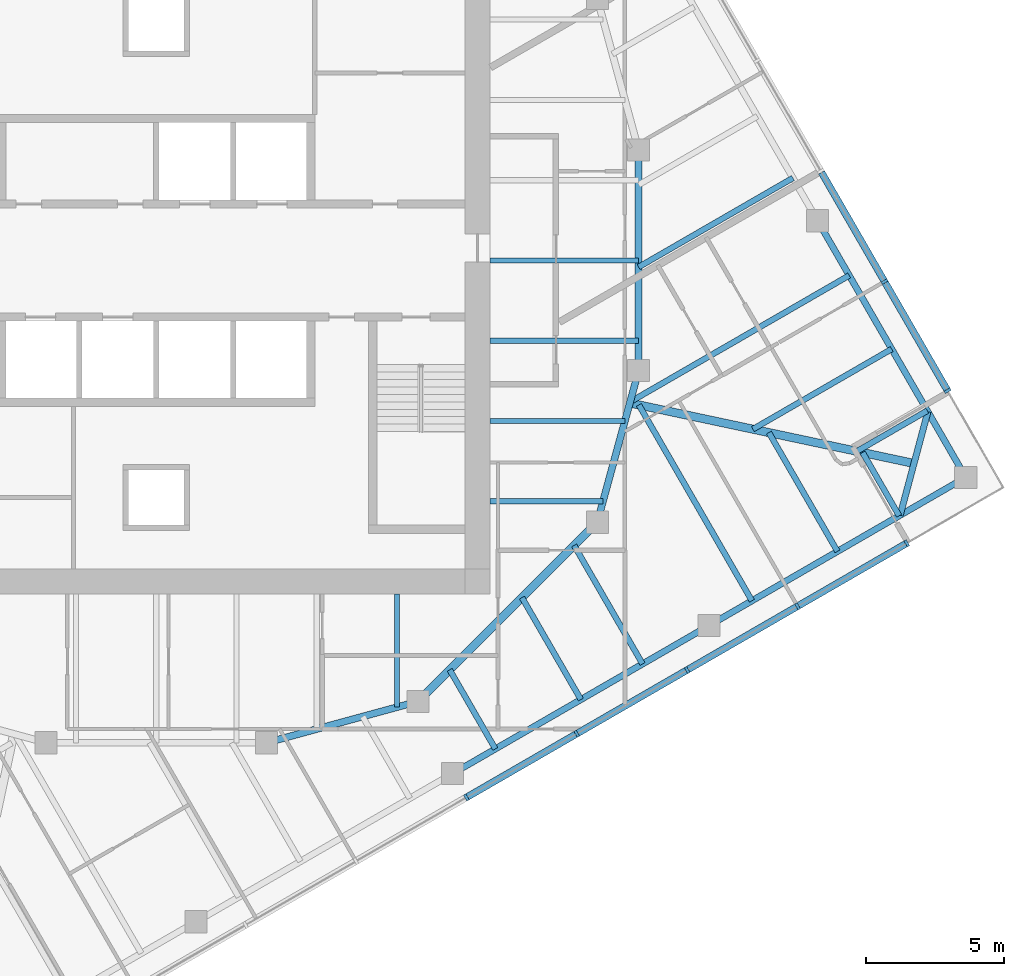
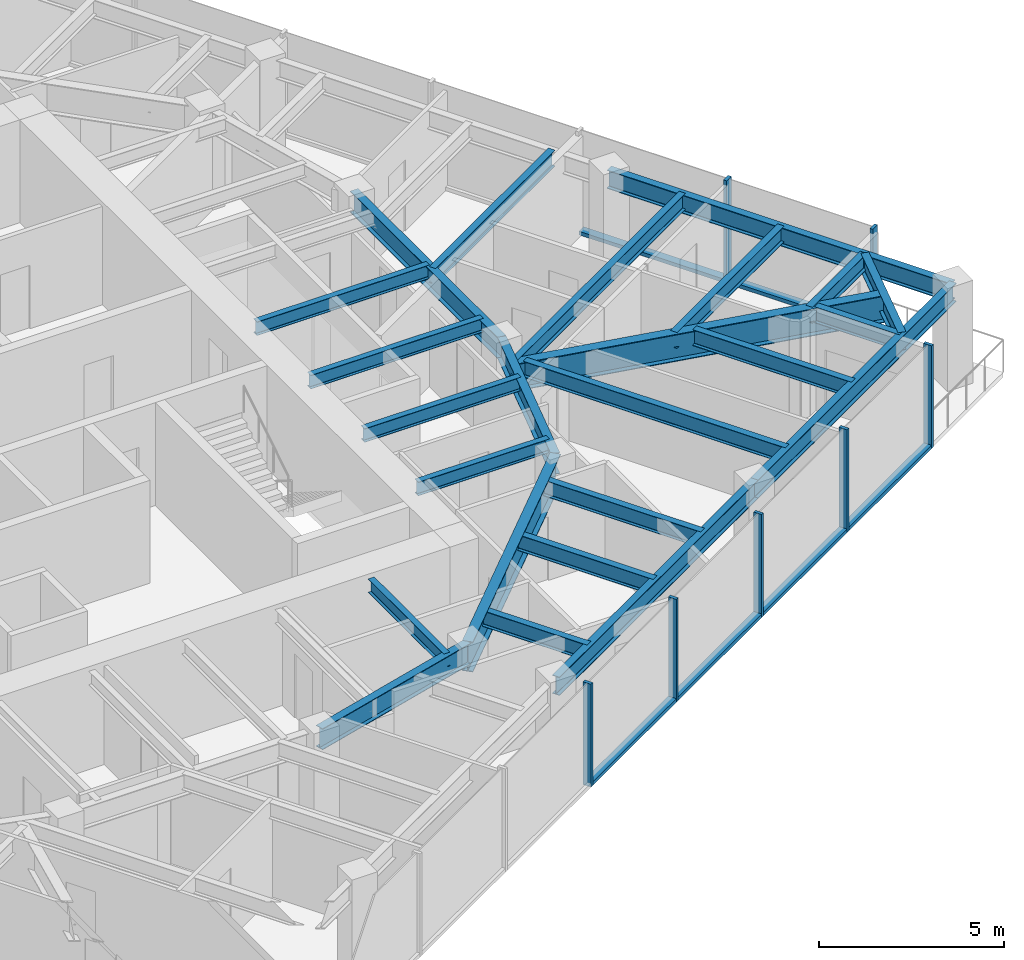
# One storey, part 3 of 12: 24 beams, 13 members, 2 elements without a shape of their own.
"""IFC4 building model written with IfcOpenShell, lengths in metres."""

import ifcopenshell
import ifcopenshell.guid

model = None  # the IFC model being written
_history = None  # IfcOwnerHistory: only IFC2X3 demands one
_inside = {}  # id of a spatial element -> (the spatial element, [elements in it])
_under = {}  # id of a project, library or spatial element -> (it, [spatial elements below it])
_declared = {}  # id of a project -> (the project, [libraries it declares])
_typed = {}  # id of a type object -> (the type object, [elements of that type])
_made_of = {}  # id of a material, layer set ... -> (it, [elements and type objects made of it])


def new_model(schema):
    """Start an empty IFC model of exactly this schema.

    Asked for "IFC4X3", IfcOpenShell would pick the latest addendum, in which some entities
    have other attributes; the version numbers below select the first issue.
    IFC2X3 requires an IfcOwnerHistory on every rooted entity: one is made here for all.
    """
    global model, _history
    if schema == "IFC4X3":
        model = ifcopenshell.file(schema_version=(4, 3, 0, 0))
    else:
        model = ifcopenshell.file(schema=schema)
    _inside.clear()
    _under.clear()
    _declared.clear()
    _typed.clear()
    _made_of.clear()
    _history = None
    if model.schema == "IFC2X3":
        org = make("IfcOrganization", Name="unknown")
        user = make(
            "IfcPersonAndOrganization",
            ThePerson=make("IfcPerson", FamilyName="unknown"),
            TheOrganization=org,
        )
        app = make(
            "IfcApplication",
            ApplicationDeveloper=org,
            Version="unknown",
            ApplicationFullName="unknown",
            ApplicationIdentifier="unknown",
        )
        _history = make(
            "IfcOwnerHistory",
            OwningUser=user,
            OwningApplication=app,
            ChangeAction="ADDED",
            CreationDate=0,
        )
    return model


def make(cls, **values):
    """One entity of the class cls with the attributes given. An attribute that is None is left unset."""
    return model.create_entity(
        cls, **{name: value for name, value in values.items() if value is not None}
    )


def rooted(cls, **values):
    """An entity with a GlobalId (a new one), such as an element, a storey or a relation."""
    return make(cls, GlobalId=ifcopenshell.guid.new(), OwnerHistory=_history, **values)


def si_unit(unit_type, name, prefix=None):
    """IfcSIUnit, for example si_unit("LENGTHUNIT", "METRE", prefix="MILLI")."""
    return make("IfcSIUnit", UnitType=unit_type, Prefix=prefix, Name=name)


def assignment(units):
    """IfcUnitAssignment: the units of a project."""
    return None if units is None else make("IfcUnitAssignment", Units=units)


def point(xyz):
    """IfcCartesianPoint."""
    return None if xyz is None else make("IfcCartesianPoint", Coordinates=xyz)


def direction(xyz):
    """IfcDirection."""
    return None if xyz is None else make("IfcDirection", DirectionRatios=xyz)


def frame(location, z_axis=None, x_axis=None):
    """IfcAxis2Placement3D, a coordinate frame: its origin and axes. An axis left out is left unset."""
    return make(
        "IfcAxis2Placement3D",
        Location=point(location),
        Axis=direction(z_axis),
        RefDirection=direction(x_axis),
    )


def frame_2d(location, x_axis=None):
    """IfcAxis2Placement2D, a coordinate frame in the plane: its origin and x axis."""
    return make(
        "IfcAxis2Placement2D", Location=point(location), RefDirection=direction(x_axis)
    )


def origin():
    """The frame at (0, 0, 0) with its axes left unset."""
    return frame((0.0, 0.0, 0.0))


def origin_2d():
    """The frame at (0, 0) in the plane with its x axis left unset."""
    return frame_2d((0.0, 0.0))


def place(relative_to, where):
    """IfcLocalPlacement: puts the frame where relative to a parent placement (None: the world)."""
    return make(
        "IfcLocalPlacement", PlacementRelTo=relative_to, RelativePlacement=where
    )


def context(
    kind, dimensions, precision=None, world=None, true_north=None, identifier=None
):
    """IfcGeometricRepresentationContext, for example the 3D "Model" context."""
    return make(
        "IfcGeometricRepresentationContext",
        ContextIdentifier=identifier,
        ContextType=kind,
        CoordinateSpaceDimension=dimensions,
        Precision=precision,
        WorldCoordinateSystem=world,
        TrueNorth=true_north,
    )


def subcontext(parent, identifier, kind, view, scale=None):
    """IfcGeometricRepresentationSubContext, for example "Body" below "Model"."""
    return make(
        "IfcGeometricRepresentationSubContext",
        ContextIdentifier=identifier,
        ContextType=kind,
        ParentContext=parent,
        TargetScale=scale,
        TargetView=view,
    )


def project(units=None, contexts=None):
    """IfcProject with its units and contexts."""
    return rooted(
        "IfcProject",
        Name="project",
        RepresentationContexts=contexts,
        UnitsInContext=assignment(units),
    )


def spatial(cls, under=None, at=None, **own):
    """A site, building, storey or space (cls), placed at a placement, below another one or the project."""
    s = rooted(cls, ObjectPlacement=at, **own)
    if under is not None:
        _under.setdefault(under.id(), (under, []))[1].append(s)
    return s


def profile(cls, at=None, kind="AREA", **sizes):
    """A parametric profile (cls). Its sizes go by their IFC names, for example OverallWidth=200.0."""
    return make(cls, ProfileType=kind, Position=at, **sizes)


def rectangle(**sizes):
    """IfcRectangleProfileDef."""
    return profile("IfcRectangleProfileDef", **sizes)


def i_section(**sizes):
    """IfcIShapeProfileDef."""
    return profile("IfcIShapeProfileDef", **sizes)


def extrude(swept, where, along, depth):
    """IfcExtrudedAreaSolid: the profile swept, set in the frame where, extruded along a direction by depth."""
    return make(
        "IfcExtrudedAreaSolid",
        SweptArea=swept,
        Position=where,
        ExtrudedDirection=direction(along),
        Depth=depth,
    )


def shape(context_of_items, identifier, shape_type, items):
    """IfcShapeRepresentation: the items that make up one representation, for example the "Body"."""
    return make(
        "IfcShapeRepresentation",
        ContextOfItems=context_of_items,
        RepresentationIdentifier=identifier,
        RepresentationType=shape_type,
        Items=items,
    )


def material(Name=None, Category=None):
    """IfcMaterial."""
    return make("IfcMaterial", Name=Name, Category=Category)


def material_profile(
    of_material, cross_section, Name=None, Category=None, Priority=None
):
    """IfcMaterialProfile: a cross section and its material."""
    return make(
        "IfcMaterialProfile",
        Name=Name,
        Material=of_material,
        Profile=cross_section,
        Priority=Priority,
        Category=Category,
    )


def profile_set(profiles, Name=None, composite=None):
    """IfcMaterialProfileSet."""
    return make(
        "IfcMaterialProfileSet",
        Name=Name,
        MaterialProfiles=profiles,
        CompositeProfile=composite,
    )


def made_of(thing, what):
    """Note that an element or type object is made of a material, layer set ...; save() writes the relation."""
    if what is not None:
        _made_of.setdefault(what.id(), (what, []))[1].append(thing)
    return thing


def type_object(cls, material=None, **own):
    """A type object (cls), such as IfcWallType, which elements share."""
    return made_of(rooted(cls, **own), material)


def element(
    cls,
    number,
    at=None,
    inside=None,
    cuts=None,
    type_object=None,
    material=None,
    context=None,
    identifier="Body",
    shape_type=None,
    held_by="IfcProductDefinitionShape",
    body=None,
    shapes=None,
    **own,
):
    """One element of the class cls, such as IfcWall. Its Tag is "e" and its number.

    at: its placement. inside: the storey or other place that contains it. cuts: it is an
    opening in that element (IfcRelVoidsElement). A single representation is given by context,
    identifier, shape_type and body (its items); several are given by shapes. held_by: the class
    of the entity that holds the representations. save() writes the other relations.
    """
    e = rooted(cls, Tag="e%d" % number, ObjectPlacement=at, **own)
    if body is not None:
        shapes = [shape(context, identifier, shape_type, body)]
    if shapes is not None:
        e.Representation = make(held_by, Representations=shapes)
    if inside is not None:
        _inside.setdefault(inside.id(), (inside, []))[1].append(e)
    if cuts is not None:
        rooted(
            "IfcRelVoidsElement", RelatingBuildingElement=cuts, RelatedOpeningElement=e
        )
    if type_object is not None:
        _typed.setdefault(type_object.id(), (type_object, []))[1].append(e)
    return made_of(e, material)


def aggregate(whole, parts):
    """IfcRelAggregates: a whole, such as a stair, and the parts it consists of."""
    return rooted("IfcRelAggregates", RelatingObject=whole, RelatedObjects=parts)


def save(model, path):
    """Write the relations noted so far, then the file.

    IfcRelAggregates (storeys below a building ...), IfcRelContainedInSpatialStructure (elements
    in a storey), IfcRelDefinesByType, IfcRelAssociatesMaterial and IfcRelDeclares: one each for
    every whole, place, type object, material and project.
    """
    for whole, parts in _under.values():
        aggregate(whole, parts)
    for where, things in _inside.values():
        rooted(
            "IfcRelContainedInSpatialStructure",
            RelatedElements=things,
            RelatingStructure=where,
        )
    for kind, things in _typed.values():
        rooted("IfcRelDefinesByType", RelatedObjects=things, RelatingType=kind)
    for what, things in _made_of.values():
        rooted("IfcRelAssociatesMaterial", RelatedObjects=things, RelatingMaterial=what)
    for by, libraries in _declared.values():
        rooted("IfcRelDeclares", RelatingContext=by, RelatedDefinitions=libraries)
    model.write(path)


model = new_model("IFC4")

# Units and contexts
model_context = context("Model", 3, precision=1e-05, world=origin(), true_north=direction((0.0, 1.0)))
body_context = subcontext(model_context, "Body", "Model", "MODEL_VIEW")
ifc_project = project(units=[si_unit("LENGTHUNIT", "METRE"), si_unit("AREAUNIT", "SQUARE_METRE"), si_unit("VOLUMEUNIT", "CUBIC_METRE"), si_unit("PLANEANGLEUNIT", "RADIAN"), si_unit("MASSUNIT", "GRAM", prefix="KILO")], contexts=[model_context])

# Site, building, storey
site_placement = place(None, origin())
site = spatial("IfcSite", under=ifc_project, at=site_placement, CompositionType="ELEMENT")
building_placement = place(site_placement, origin())
building = spatial("IfcBuilding", under=site, at=building_placement, Name="Torsade Residences", CompositionType="ELEMENT")
storey_placement = place(building_placement, frame((0.0, 0.0, 211.60009765625)))
storey = spatial("IfcBuildingStorey", under=building, at=storey_placement, Name="L58", CompositionType="ELEMENT", Elevation=211.60009765625)

# Beams
ifc_material_1 = material(Name="Steel grade 300", Category="steel")
ifc_material_profile_1 = material_profile(ifc_material_1, i_section(OverallWidth=0.300048828125, OverallDepth=0.89990234375, WebThickness=0.011962890625, FlangeThickness=0.02490234375, at=origin_2d()), Name="900WB175")
ifc_profile_set_1 = profile_set([ifc_material_profile_1], Name="Steel grade 300")
beam_type_1 = type_object("IfcBeamType", Name="CORNER GIRDER 900WB175", PredefinedType="BEAM", material=ifc_profile_set_1)
beam_1_placement = place(storey_placement, frame((67.4912109375, 22.6337890625, 2.7998046875), z_axis=(-0.978115155685, 0.20806427425, 0.0), x_axis=(-0.20806427425, -0.978115155685, 0.0)))
element("IfcBeam", 1, at=beam_1_placement, inside=storey, type_object=beam_type_1, Name="Corner girder 05 L59", PredefinedType="BEAM", context=body_context, shape_type="SweptSolid", body=[
    extrude(i_section(OverallWidth=0.300048828125, OverallDepth=0.89990234375, WebThickness=0.011962890625, FlangeThickness=0.02490234375, at=origin_2d()), origin(), (0.0, 0.0, 1.0), 10.541748046875),
])
ifc_material_2 = material(Name="Steel grade 300", Category="steel")
ifc_material_profile_2 = material_profile(ifc_material_2, i_section(OverallWidth=0.22802734375, OverallDepth=0.60205078125, WebThickness=0.010498046875, FlangeThickness=0.014892578125, FilletRadius=0.013916015625, at=origin_2d()), Name="610UB101")
ifc_profile_set_2 = profile_set([ifc_material_profile_2], Name="Steel grade 300")
beam_type_2 = type_object("IfcBeamType", Name="CORNER TRIMMER 610UB101", PredefinedType="BEAM", material=ifc_profile_set_2)
beam_2_placement = place(storey_placement, frame((67.99462890625, 24.511962890625, 2.948974609375), z_axis=(-0.258822897619, -0.965924794002, 0.0), x_axis=(0.965924794002, -0.258822897619, 0.0)))
element("IfcBeam", 2, at=beam_2_placement, inside=storey, type_object=beam_type_2, Name="Corner trimmer 05 L59", PredefinedType="BEAM", context=body_context, shape_type="SweptSolid", body=[
    extrude(i_section(OverallWidth=0.22802734375, OverallDepth=0.60205078125, WebThickness=0.010498046875, FlangeThickness=0.014892578125, FilletRadius=0.013916015625, at=origin_2d()), origin(), (0.0, 0.0, 1.0), 3.88916015625),
])
ifc_material_3 = material(Name="Steel grade 300", Category="steel")
ifc_material_profile_3 = material_profile(ifc_material_3, i_section(OverallWidth=0.22900390625, OverallDepth=0.612060546875, WebThickness=0.011962890625, FlangeThickness=0.01953125, FilletRadius=0.013916015625, at=origin_2d()), Name="610UB125")
ifc_profile_set_3 = profile_set([ifc_material_profile_3], Name="Steel grade 300")
beam_type_3 = type_object("IfcBeamType", Name="EDGE BEAM 610UB125", PredefinedType="SPANDREL", material=ifc_profile_set_3)
for number, where, z_axis, x_axis, name in (
    (3, (50.75, 11.38037109375, 2.94384765625), (0.866026365697, 0.499998333915, 0.0), (-0.499998333915, 0.866026365697, 0.0), "Edge beam 03 L59"),
    (4, (60.059814453125, 16.75537109375, 2.94384765625), (0.866026365697, 0.499998333915, 0.0), (-0.499998333915, 0.866026365697, 0.0), "Edge beam 04 L59"),
    (5, (69.36962890625, 22.13037109375, 2.94384765625), (-0.499998333915, 0.866026365697, 0.0), (-0.866026365697, -0.499998333915, 0.0), "Edge beam 05 L59"),
):
    element("IfcBeam", number, at=place(storey_placement, frame(where, z_axis=z_axis, x_axis=x_axis)), inside=storey, type_object=beam_type_3, Name=name, PredefinedType="SPANDREL", context=body_context, shape_type="SweptSolid", body=[
        extrude(i_section(OverallWidth=0.22900390625, OverallDepth=0.612060546875, WebThickness=0.011962890625, FlangeThickness=0.01953125, FilletRadius=0.013916015625, at=origin_2d()), origin(), (0.0, 0.0, 1.0), 10.75),
    ])

# Curtain wall, members
ifc_material_4 = material(Name="Aluminium and glass", Category="aluminium")
curtain_wall_type = type_object("IfcCurtainWallType", Name="FRITTED GLASS CURTAIN WALL HIGH ZONE", PredefinedType="NOTDEFINED", material=ifc_material_4)
curtain_wall_1_placement = place(storey_placement, origin())
curtain_wall_1 = element("IfcCurtainWall", 6, at=curtain_wall_1_placement, inside=storey, type_object=curtain_wall_type, Name="Curtain wall L58 face 1", PredefinedType="NOTDEFINED")
ifc_material_5 = material(Name="Aluminium mullion", Category="aluminium")
ifc_material_profile_4 = material_profile(ifc_material_5, rectangle(XDim=0.25, YDim=0.10009765625, at=origin_2d()), Name="HIGH ZONE CURTAIN WALL MULLION 250x100")
ifc_profile_set_4 = profile_set([ifc_material_profile_4], Name="Aluminium mullion")
member_type_1 = type_object("IfcMemberType", Name="HIGH ZONE CURTAIN WALL MULLION 250x100", PredefinedType="MULLION", material=ifc_profile_set_4)
member_1_placement = place(storey_placement, frame((51.25, 10.514404296875, 0.0), z_axis=(0.0, 0.0, 1.0), x_axis=(-0.499999999305, 0.866025404186, 0.0)))
member_1 = element("IfcMember", 7, at=member_1_placement, type_object=member_type_1, Name="Mullion 5", PredefinedType="MULLION", context=body_context, shape_type="SweptSolid", body=[
    extrude(rectangle(XDim=0.25, YDim=0.10009765625, at=origin_2d()), origin(), (0.0, 0.0, 1.0), 3.39990234375),
])
member_2_placement = place(storey_placement, frame((55.25537109375, 12.826904296875, 0.0), z_axis=(0.0, 0.0, 1.0), x_axis=(-0.499999999305, 0.866025404186, 0.0)))
member_2 = element("IfcMember", 8, at=member_2_placement, type_object=member_type_1, Name="Mullion 6", PredefinedType="MULLION", context=body_context, shape_type="SweptSolid", body=[
    extrude(rectangle(XDim=0.25, YDim=0.10009765625, at=origin_2d()), origin(), (0.0, 0.0, 1.0), 3.39990234375),
])
member_3_placement = place(storey_placement, frame((59.2607421875, 15.139404296875, 0.0), z_axis=(0.0, 0.0, 1.0), x_axis=(-0.499999999305, 0.866025404186, 0.0)))
member_3 = element("IfcMember", 9, at=member_3_placement, type_object=member_type_1, Name="Mullion 7", PredefinedType="MULLION", context=body_context, shape_type="SweptSolid", body=[
    extrude(rectangle(XDim=0.25, YDim=0.10009765625, at=origin_2d()), origin(), (0.0, 0.0, 1.0), 3.39990234375),
])
member_4_placement = place(storey_placement, frame((63.26611328125, 17.451904296875, 0.0), z_axis=(0.0, 0.0, 1.0), x_axis=(-0.499999999305, 0.866025404186, 0.0)))
member_4 = element("IfcMember", 10, at=member_4_placement, type_object=member_type_1, Name="Mullion 8", PredefinedType="MULLION", context=body_context, shape_type="SweptSolid", body=[
    extrude(rectangle(XDim=0.25, YDim=0.10009765625, at=origin_2d()), origin(), (0.0, 0.0, 1.0), 3.39990234375),
])
member_5_placement = place(storey_placement, frame((67.228271484375, 19.739501953125, 0.0), z_axis=(0.0, 0.0, 1.0), x_axis=(-0.499999999305, 0.866025404186, 0.0)))
member_5 = element("IfcMember", 11, at=member_5_placement, type_object=member_type_1, Name="Mullion 9", PredefinedType="MULLION", context=body_context, shape_type="SweptSolid", body=[
    extrude(rectangle(XDim=0.25, YDim=0.10009765625, at=origin_2d()), origin(), (0.0, 0.0, 1.0), 3.39990234375),
])

curtain_wall_2_placement = place(storey_placement, origin())
curtain_wall_2 = element("IfcCurtainWall", 12, at=curtain_wall_2_placement, inside=storey, type_object=curtain_wall_type, Name="Curtain wall L58 face 4", PredefinedType="NOTDEFINED")
member_6_placement = place(storey_placement, frame((68.710693359375, 25.271728515625, 0.0), z_axis=(0.0, 0.0, 1.0), x_axis=(-0.866025404186, -0.499999999305, 0.0)))
member_6 = element("IfcMember", 13, at=member_6_placement, type_object=member_type_1, Name="Mullion 1", PredefinedType="MULLION", context=body_context, shape_type="SweptSolid", body=[
    extrude(rectangle(XDim=0.25, YDim=0.10009765625, at=origin_2d()), origin(), (0.0, 0.0, 1.0), 3.39990234375),
])
member_7_placement = place(storey_placement, frame((66.423095703125, 29.23388671875, 0.0), z_axis=(0.0, 0.0, 1.0), x_axis=(-0.866025404186, -0.499999999305, 0.0)))
member_7 = element("IfcMember", 14, at=member_7_placement, type_object=member_type_1, Name="Mullion 2", PredefinedType="MULLION", context=body_context, shape_type="SweptSolid", body=[
    extrude(rectangle(XDim=0.25, YDim=0.10009765625, at=origin_2d()), origin(), (0.0, 0.0, 1.0), 3.39990234375),
])

# Member
ifc_material_6 = material(Name="Aluminium transom", Category="aluminium")
ifc_material_profile_5 = material_profile(ifc_material_6, rectangle(XDim=0.25, YDim=0.1201171875, at=origin_2d()), Name="HIGH ZONE CURTAIN WALL TRANSOM 250x120")
ifc_profile_set_5 = profile_set([ifc_material_profile_5], Name="Aluminium transom")
member_type_2 = type_object("IfcMemberType", Name="HIGH ZONE CURTAIN WALL TRANSOM 250x120", PredefinedType="USERDEFINED", material=ifc_profile_set_5)
member_8_placement = place(storey_placement, frame((51.293212890625, 10.539306640625, 0.059814453125), z_axis=(0.866016678684, 0.500015112013, 0.0), x_axis=(-0.500015112013, 0.866016678684, 0.0)))
member_8 = element("IfcMember", 15, at=member_8_placement, type_object=member_type_2, Name="Transom 5.1", ObjectType="TRANSOM", PredefinedType="USERDEFINED", context=body_context, shape_type="SweptSolid", body=[
    extrude(rectangle(XDim=0.25, YDim=0.1201171875, at=origin_2d()), origin(), (0.0, 0.0, 1.0), 4.525146484375),
])

member_9_placement = place(storey_placement, frame((55.298583984375, 12.851806640625, 0.059814453125), z_axis=(0.866016678684, 0.500015112013, 0.0), x_axis=(-0.500015112013, 0.866016678684, 0.0)))
member_9 = element("IfcMember", 16, at=member_9_placement, type_object=member_type_2, Name="Transom 6.1", ObjectType="TRANSOM", PredefinedType="USERDEFINED", context=body_context, shape_type="SweptSolid", body=[
    extrude(rectangle(XDim=0.25, YDim=0.1201171875, at=origin_2d()), origin(), (0.0, 0.0, 1.0), 4.525146484375),
])

member_10_placement = place(storey_placement, frame((59.303955078125, 15.164306640625, 0.059814453125), z_axis=(0.866016678684, 0.500015112013, 0.0), x_axis=(-0.500015112013, 0.866016678684, 0.0)))
member_10 = element("IfcMember", 17, at=member_10_placement, type_object=member_type_2, Name="Transom 7.1", ObjectType="TRANSOM", PredefinedType="USERDEFINED", context=body_context, shape_type="SweptSolid", body=[
    extrude(rectangle(XDim=0.25, YDim=0.1201171875, at=origin_2d()), origin(), (0.0, 0.0, 1.0), 4.525146484375),
])

member_11_placement = place(storey_placement, frame((63.309326171875, 17.476806640625, 0.059814453125), z_axis=(0.866022053326, 0.50000580312, 0.0), x_axis=(-0.50000580312, 0.866022053326, 0.0)))
member_11 = element("IfcMember", 18, at=member_11_placement, type_object=member_type_2, Name="Transom 8.1", ObjectType="TRANSOM", PredefinedType="USERDEFINED", context=body_context, shape_type="SweptSolid", body=[
    extrude(rectangle(XDim=0.25, YDim=0.1201171875, at=origin_2d()), origin(), (0.0, 0.0, 1.0), 4.47509765625),
])

aggregate(curtain_wall_1, [member_1, member_2, member_3, member_4, member_5, member_8, member_9, member_10, member_11])

member_12_placement = place(storey_placement, frame((68.685546875, 25.315185546875, 0.059814453125), z_axis=(-0.50000580312, 0.866022053326, 0.0), x_axis=(-0.866022053326, -0.50000580312, 0.0)))
member_12 = element("IfcMember", 19, at=member_12_placement, type_object=member_type_2, Name="Transom 1.1", ObjectType="TRANSOM", PredefinedType="USERDEFINED", context=body_context, shape_type="SweptSolid", body=[
    extrude(rectangle(XDim=0.25, YDim=0.1201171875, at=origin_2d()), origin(), (0.0, 0.0, 1.0), 4.47509765625),
])

member_13_placement = place(storey_placement, frame((66.398193359375, 29.277099609375, 0.059814453125), z_axis=(-0.500015112013, 0.866016678684, 0.0), x_axis=(-0.866016678684, -0.500015112013, 0.0)))
member_13 = element("IfcMember", 20, at=member_13_placement, type_object=member_type_2, Name="Transom 2.1", ObjectType="TRANSOM", PredefinedType="USERDEFINED", context=body_context, shape_type="SweptSolid", body=[
    extrude(rectangle(XDim=0.25, YDim=0.1201171875, at=origin_2d()), origin(), (0.0, 0.0, 1.0), 4.525146484375),
])

aggregate(curtain_wall_2, [member_6, member_7, member_12, member_13])

# Beams
ifc_material_7 = material(Name="Steel grade 300", Category="steel")
ifc_material_profile_6 = material_profile(ifc_material_7, i_section(OverallWidth=0.18994140625, OverallDepth=0.4541015625, WebThickness=0.008544921875, FlangeThickness=0.0126953125, FilletRadius=0.011474609375, at=origin_2d()), Name="460UB67.1")
ifc_profile_set_6 = profile_set([ifc_material_profile_6], Name="Steel grade 300")
beam_type_4 = type_object("IfcBeamType", Name="INNER FLOOR BEAM 460UB67.1", PredefinedType="JOIST", material=ifc_profile_set_6)
for number, where, z_axis, x_axis, name in (
    (21, (48.737548828125, 17.89990234375, 3.02294921875), (0.0, -1.0, 0.0), (1.0, 0.0, 0.0), "Inner floor beam IS01 L59"),
    (22, (52.10009765625, 21.262451171875, 3.02294921875), (1.0, 0.0, 0.0), (0.0, 1.0, 0.0), "Inner floor beam IE01 L59"),
):
    element("IfcBeam", number, at=place(storey_placement, frame(where, z_axis=z_axis, x_axis=x_axis)), inside=storey, type_object=beam_type_4, Name=name, PredefinedType="JOIST", context=body_context, shape_type="SweptSolid", body=[
        extrude(i_section(OverallWidth=0.18994140625, OverallDepth=0.4541015625, WebThickness=0.008544921875, FlangeThickness=0.0126953125, FilletRadius=0.011474609375, at=origin_2d()), origin(), (0.0, 0.0, 1.0), 4.10791015625),
    ])
beam_3_placement = place(storey_placement, frame((52.10009765625, 24.175048828125, 3.02294921875), z_axis=(1.0, 0.0, 0.0), x_axis=(0.0, 1.0, 0.0)))
element("IfcBeam", 23, at=beam_3_placement, inside=storey, type_object=beam_type_4, Name="Inner floor beam IE02 L59", PredefinedType="JOIST", context=body_context, shape_type="SweptSolid", body=[
    extrude(i_section(OverallWidth=0.18994140625, OverallDepth=0.4541015625, WebThickness=0.008544921875, FlangeThickness=0.0126953125, FilletRadius=0.011474609375, at=origin_2d()), origin(), (0.0, 0.0, 1.0), 4.902099609375),
])
for number, where, z_axis, x_axis, name in (
    (24, (52.10009765625, 27.08740234375, 3.02294921875), (1.0, 0.0, 0.0), (0.0, 1.0, 0.0), "Inner floor beam IE03 L59"),
    (25, (52.10009765625, 30.0, 3.02294921875), (1.0, 0.0, 0.0), (0.0, 1.0, 0.0), "Inner floor beam IE04 L59"),
):
    element("IfcBeam", number, at=place(storey_placement, frame(where, z_axis=z_axis, x_axis=x_axis)), inside=storey, type_object=beam_type_4, Name=name, PredefinedType="JOIST", context=body_context, shape_type="SweptSolid", body=[
        extrude(i_section(OverallWidth=0.18994140625, OverallDepth=0.4541015625, WebThickness=0.008544921875, FlangeThickness=0.0126953125, FilletRadius=0.011474609375, at=origin_2d()), origin(), (0.0, 0.0, 1.0), 5.39990234375),
    ])
ifc_material_8 = material(Name="Steel grade 300", Category="steel")
ifc_material_profile_7 = material_profile(ifc_material_8, i_section(OverallWidth=0.300048828125, OverallDepth=1.0, WebThickness=0.01611328125, FlangeThickness=0.028076171875, at=origin_2d()), Name="1000WB215")
ifc_profile_set_7 = profile_set([ifc_material_profile_7], Name="Steel grade 300")
beam_type_5 = type_object("IfcBeamType", Name="RING CORNER GIRDER 1000WB215", PredefinedType="BEAM", material=ifc_profile_set_7)
beam_4_placement = place(storey_placement, frame((49.5, 14.0, 2.75), z_axis=(0.707106781187, 0.707106781187, 0.0), x_axis=(-0.707106781187, 0.707106781187, 0.0)))
element("IfcBeam", 26, at=beam_4_placement, inside=storey, type_object=beam_type_5, Name="Ring girder IR15 L59", PredefinedType="BEAM", context=body_context, shape_type="SweptSolid", body=[
    extrude(i_section(OverallWidth=0.300048828125, OverallDepth=1.0, WebThickness=0.01611328125, FlangeThickness=0.028076171875, at=origin_2d()), origin(), (0.0, 0.0, 1.0), 9.1923828125),
])
ifc_material_9 = material(Name="Steel grade 300", Category="steel")
ifc_material_profile_8 = material_profile(ifc_material_9, i_section(OverallWidth=0.25, OverallDepth=0.699951171875, WebThickness=0.010009765625, FlangeThickness=0.02001953125, at=origin_2d()), Name="700WB130")
ifc_profile_set_8 = profile_set([ifc_material_profile_8], Name="Steel grade 300")
beam_type_6 = type_object("IfcBeamType", Name="RING GIRDER 700WB130", PredefinedType="BEAM", material=ifc_profile_set_8)
beam_5_placement = place(storey_placement, frame((57.5, 26.0, 2.89990234375), z_axis=(0.0, 1.0, 0.0), x_axis=(-1.0, 0.0, 0.0)))
element("IfcBeam", 27, at=beam_5_placement, inside=storey, type_object=beam_type_6, Name="Ring girder IR01 L59", PredefinedType="BEAM", context=body_context, shape_type="SweptSolid", body=[
    extrude(i_section(OverallWidth=0.25, OverallDepth=0.699951171875, WebThickness=0.010009765625, FlangeThickness=0.02001953125, at=origin_2d()), origin(), (0.0, 0.0, 1.0), 8.0),
])
for number, where, z_axis, x_axis, name in (
    (28, (44.0, 12.5, 2.89990234375), (0.964763821238, 0.263117405792, 0.0), (-0.263117405792, 0.964763821238, 0.0), "Ring girder IR14 L59"),
    (29, (56.0, 20.5, 2.89990234375), (0.263117405792, 0.964763821238, 0.0), (-0.964763821238, 0.263117405792, 0.0), "Ring girder IR16 L59"),
):
    element("IfcBeam", number, at=place(storey_placement, frame(where, z_axis=z_axis, x_axis=x_axis)), inside=storey, type_object=beam_type_6, Name=name, PredefinedType="BEAM", context=body_context, shape_type="SweptSolid", body=[
        extrude(i_section(OverallWidth=0.25, OverallDepth=0.699951171875, WebThickness=0.010009765625, FlangeThickness=0.02001953125, at=origin_2d()), origin(), (0.0, 0.0, 1.0), 5.700927734375),
    ])
ifc_material_10 = material(Name="Steel grade 300", Category="steel")
ifc_material_profile_9 = material_profile(ifc_material_10, i_section(OverallWidth=0.208984375, OverallDepth=0.528076171875, WebThickness=0.009521484375, FlangeThickness=0.01318359375, FilletRadius=0.013916015625, at=origin_2d()), Name="530UB82.0")
ifc_profile_set_9 = profile_set([ifc_material_profile_9], Name="Steel grade 300")
beam_type_7 = type_object("IfcBeamType", Name="SECONDARY BEAM 530UB82.0", PredefinedType="JOIST", material=ifc_profile_set_9)
beam_6_placement = place(storey_placement, frame((52.301513671875, 12.2763671875, 2.98583984375), z_axis=(-0.499975512502, 0.866039541186, 0.0), x_axis=(-0.866039541186, -0.499975512502, 0.0)))
element("IfcBeam", 30, at=beam_6_placement, inside=storey, type_object=beam_type_7, Name="Floor beam FS07 L59", PredefinedType="JOIST", context=body_context, shape_type="SweptSolid", body=[
    extrude(i_section(OverallWidth=0.208984375, OverallDepth=0.528076171875, WebThickness=0.009521484375, FlangeThickness=0.01318359375, FilletRadius=0.013916015625, at=origin_2d()), origin(), (0.0, 0.0, 1.0), 3.312744140625),
])
beam_7_placement = place(storey_placement, frame((55.40478515625, 14.06787109375, 2.98583984375), z_axis=(-0.500004369671, 0.866022880939, 0.0), x_axis=(-0.866022880939, -0.500004369671, 0.0)))
element("IfcBeam", 31, at=beam_7_placement, inside=storey, type_object=beam_type_7, Name="Floor beam FS08 L59", PredefinedType="JOIST", context=body_context, shape_type="SweptSolid", body=[
    extrude(i_section(OverallWidth=0.208984375, OverallDepth=0.528076171875, WebThickness=0.009521484375, FlangeThickness=0.01318359375, FilletRadius=0.013916015625, at=origin_2d()), origin(), (0.0, 0.0, 1.0), 4.27294921875),
])
beam_8_placement = place(storey_placement, frame((57.64208984375, 15.359619140625, 2.98583984375), z_axis=(-0.49996790502, 0.866043933037, 0.0), x_axis=(-0.866043933037, -0.49996790502, 0.0)))
element("IfcBeam", 32, at=beam_8_placement, inside=storey, type_object=beam_type_7, Name="Floor beam FS09 L59", PredefinedType="JOIST", context=body_context, shape_type="SweptSolid", body=[
    extrude(i_section(OverallWidth=0.208984375, OverallDepth=0.528076171875, WebThickness=0.009521484375, FlangeThickness=0.01318359375, FilletRadius=0.013916015625, at=origin_2d()), origin(), (0.0, 0.0, 1.0), 4.965087890625),
])
beam_9_placement = place(storey_placement, frame((61.611328125, 17.6513671875, 2.98583984375), z_axis=(-0.499992034702, 0.866030002502, 0.0), x_axis=(-0.866030002502, -0.499992034702, 0.0)))
element("IfcBeam", 33, at=beam_9_placement, inside=storey, type_object=beam_type_7, Name="Floor beam FS10 L59", PredefinedType="JOIST", context=body_context, shape_type="SweptSolid", body=[
    extrude(i_section(OverallWidth=0.208984375, OverallDepth=0.528076171875, WebThickness=0.009521484375, FlangeThickness=0.01318359375, FilletRadius=0.013916015625, at=origin_2d()), origin(), (0.0, 0.0, 1.0), 8.205322265625),
])
beam_10_placement = place(storey_placement, frame((64.714599609375, 19.44287109375, 2.98583984375), z_axis=(-0.499968694491, 0.866043477274, 0.0), x_axis=(-0.866043477274, -0.499968694491, 0.0)))
element("IfcBeam", 34, at=beam_10_placement, inside=storey, type_object=beam_type_7, Name="Floor beam FS11 L59", PredefinedType="JOIST", context=body_context, shape_type="SweptSolid", body=[
    extrude(i_section(OverallWidth=0.208984375, OverallDepth=0.528076171875, WebThickness=0.009521484375, FlangeThickness=0.01318359375, FilletRadius=0.013916015625, at=origin_2d()), origin(), (0.0, 0.0, 1.0), 4.977783203125),
])
beam_11_placement = place(storey_placement, frame((66.951904296875, 20.734619140625, 2.98583984375), z_axis=(-0.499972238474, 0.866041431316, 0.0), x_axis=(-0.866041431316, -0.499972238474, 0.0)))
element("IfcBeam", 35, at=beam_11_placement, inside=storey, type_object=beam_type_7, Name="Floor beam FS12 L59", PredefinedType="JOIST", context=body_context, shape_type="SweptSolid", body=[
    extrude(i_section(OverallWidth=0.208984375, OverallDepth=0.528076171875, WebThickness=0.009521484375, FlangeThickness=0.01318359375, FilletRadius=0.013916015625, at=origin_2d()), origin(), (0.0, 0.0, 1.0), 2.651123046875),
])
beam_12_placement = place(storey_placement, frame((67.9736328125, 24.548095703125, 2.98583984375), z_axis=(-0.866017313224, -0.500014013, 0.0), x_axis=(0.500014013, -0.866017313224, 0.0)))
element("IfcBeam", 36, at=beam_12_placement, inside=storey, type_object=beam_type_7, Name="Floor beam FE01 L59", PredefinedType="JOIST", context=body_context, shape_type="SweptSolid", body=[
    extrude(i_section(OverallWidth=0.208984375, OverallDepth=0.528076171875, WebThickness=0.009521484375, FlangeThickness=0.01318359375, FilletRadius=0.013916015625, at=origin_2d()), origin(), (0.0, 0.0, 1.0), 2.94775390625),
])
beam_13_placement = place(storey_placement, frame((66.68212890625, 26.785400390625, 2.98583984375), z_axis=(-0.866031100357, -0.499990133118, 0.0), x_axis=(0.499990133118, -0.866031100357, 0.0)))
element("IfcBeam", 37, at=beam_13_placement, inside=storey, type_object=beam_type_7, Name="Floor beam FE02 L59", PredefinedType="JOIST", context=body_context, shape_type="SweptSolid", body=[
    extrude(i_section(OverallWidth=0.208984375, OverallDepth=0.528076171875, WebThickness=0.009521484375, FlangeThickness=0.01318359375, FilletRadius=0.013916015625, at=origin_2d()), origin(), (0.0, 0.0, 1.0), 5.81591796875),
])
beam_14_placement = place(storey_placement, frame((65.140380859375, 29.45556640625, 2.98583984375), z_axis=(-0.866021712342, -0.500006393711, 0.0), x_axis=(0.500006393711, -0.866021712342, 0.0)))
element("IfcBeam", 38, at=beam_14_placement, inside=storey, type_object=beam_type_7, Name="Floor beam FE03 L59", PredefinedType="JOIST", context=body_context, shape_type="SweptSolid", body=[
    extrude(i_section(OverallWidth=0.208984375, OverallDepth=0.528076171875, WebThickness=0.009521484375, FlangeThickness=0.01318359375, FilletRadius=0.013916015625, at=origin_2d()), origin(), (0.0, 0.0, 1.0), 9.1796875),
])
beam_15_placement = place(storey_placement, frame((63.0986328125, 32.991943359375, 2.98583984375), z_axis=(-0.866022073929, -0.500005767435, 0.0), x_axis=(0.500005767435, -0.866022073929, 0.0)))
element("IfcBeam", 39, at=beam_15_placement, inside=storey, type_object=beam_type_7, Name="Floor beam FE04 L59", PredefinedType="JOIST", context=body_context, shape_type="SweptSolid", body=[
    extrude(i_section(OverallWidth=0.208984375, OverallDepth=0.528076171875, WebThickness=0.009521484375, FlangeThickness=0.01318359375, FilletRadius=0.013916015625, at=origin_2d()), origin(), (0.0, 0.0, 1.0), 6.46484375),
])

save(model, "model.ifc")
